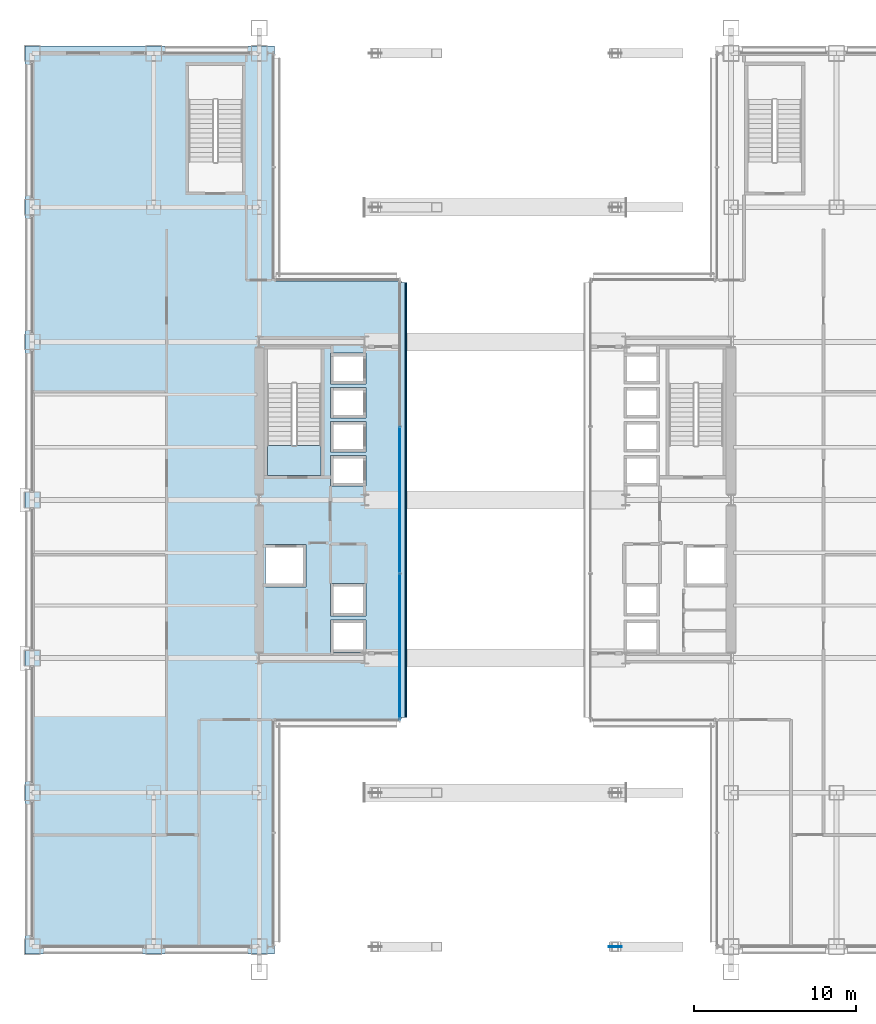
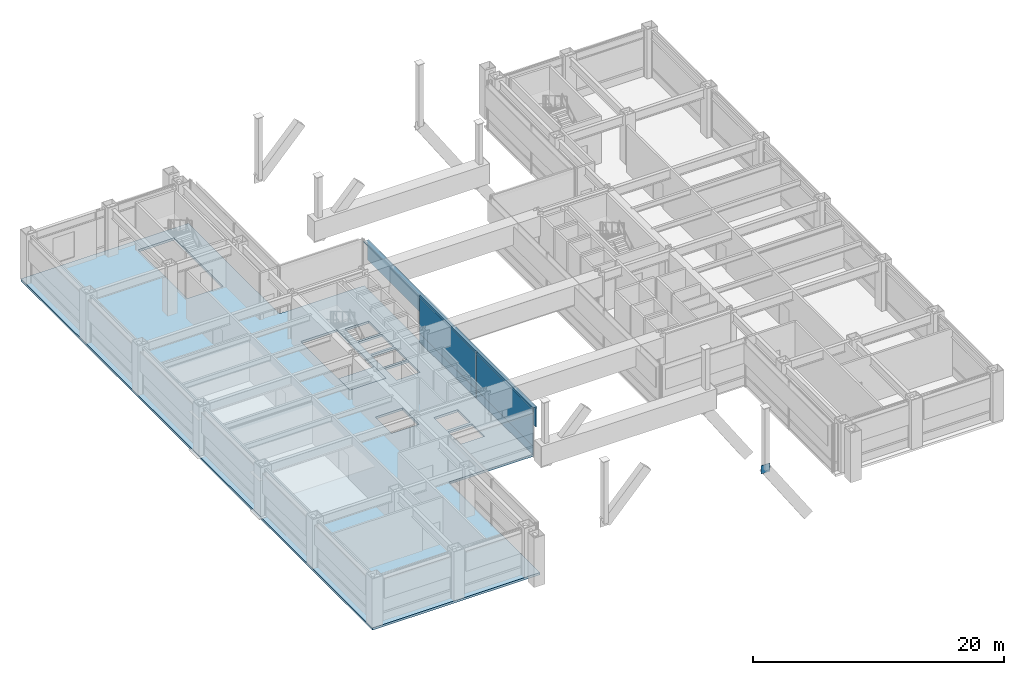
# One storey, part 30 of 42: 7 plates, 2 slabs, 1 element without a shape of its own.
"""IFC4 building model written with IfcOpenShell, lengths in metres."""

from ifc_helpers import new_model, si_unit, direction, frame, origin, origin_2d, place, context, subcontext, project, spatial, polyline, rectangle, outline, extrude, material, layer, layer_set, type_object, element, aggregate, save


model = new_model("IFC4")

# Units and contexts
model_context = context("Model", 3, precision=1e-05, world=origin(), true_north=direction((0.0, 1.0)))
body_context = subcontext(model_context, "Body", "Model", "MODEL_VIEW")
ifc_project = project(units=[si_unit("LENGTHUNIT", "METRE"), si_unit("AREAUNIT", "SQUARE_METRE"), si_unit("VOLUMEUNIT", "CUBIC_METRE"), si_unit("PLANEANGLEUNIT", "RADIAN"), si_unit("MASSUNIT", "GRAM", prefix="KILO")], contexts=[model_context])

# Site, building, storey
site_placement = place(None, origin())
site = spatial("IfcSite", under=ifc_project, at=site_placement, CompositionType="ELEMENT")
building_placement = place(site_placement, origin())
building = spatial("IfcBuilding", under=site, at=building_placement, Name="Brelmoor Portico Tower", CompositionType="ELEMENT")
storey_placement = place(building_placement, frame((0.0, 0.0, 9.60009765625)))
storey = spatial("IfcBuildingStorey", under=building, at=storey_placement, Name="L02", CompositionType="ELEMENT", Elevation=9.60009765625)

# Curtain wall, plates
ifc_material_1 = material(Name="Anodised Aluminium Alloy 6063-T6", Category="aluminium")
ifc_layer_1 = layer(ifc_material_1, 0.179931640625)
ifc_layer_set_1 = layer_set([ifc_layer_1], Name="Anodised Aluminium Alloy 6063-T6")
curtain_wall_type = type_object("IfcCurtainWallType", Name="CW-PODIUM-ARCH", PredefinedType="NOTDEFINED", material=ifc_layer_set_1)
curtain_wall_placement = place(storey_placement, origin())
curtain_wall = element("IfcCurtainWall", 1, at=curtain_wall_placement, inside=storey, type_object=curtain_wall_type, Name="L02 Curtain Wall CW-L02-15", PredefinedType="NOTDEFINED")
ifc_material_2 = material(Name="Double-Silver Low-E Insulated Glazing", Category="glass")
ifc_layer_2 = layer(ifc_material_2, 0.035888671875)
ifc_layer_set_2 = layer_set([ifc_layer_2], Name="Double-Silver Low-E Insulated Glazing")
plate_type_1 = type_object("IfcPlateType", Name="PT-CW-GLASS", PredefinedType="CURTAIN_PANEL", material=ifc_layer_set_2)
plate_1_placement = place(storey_placement, frame((-5.8798828125, -9.05322265625, 0.849853515625), z_axis=(0.0, 0.0, 1.0), x_axis=(0.0, 1.0, 0.0)))
plate_1 = element("IfcPlate", 2, at=plate_1_placement, type_object=plate_type_1, Name="CW-L02-15 Vision Glass Panel 00", PredefinedType="CURTAIN_PANEL", context=body_context, shape_type="SweptSolid", body=[
    extrude(rectangle(XDim=9.023193359375, YDim=0.035888671875, at=origin_2d()), origin(), (0.0, 0.0, 1.0), 3.72998046875),
])
plate_2_placement = place(storey_placement, frame((-5.8798828125, 0.0, 0.849853515625), z_axis=(0.0, 0.0, 1.0), x_axis=(0.0, 1.0, 0.0)))
plate_2 = element("IfcPlate", 3, at=plate_2_placement, type_object=plate_type_1, Name="CW-L02-15 Vision Glass Panel 01", PredefinedType="CURTAIN_PANEL", context=body_context, shape_type="SweptSolid", body=[
    extrude(rectangle(XDim=9.023193359375, YDim=0.035888671875, at=origin_2d()), origin(), (0.0, 0.0, 1.0), 3.72998046875),
])
ifc_material_3 = material(Name="Pale Champagne Anodised Aluminium Panel", Category="aluminium")
ifc_layer_3 = layer(ifc_material_3, 0.050048828125)
ifc_layer_set_3 = layer_set([ifc_layer_3], Name="Pale Champagne Anodised Aluminium Panel")
plate_type_2 = type_object("IfcPlateType", Name="PT-CW-SPANDREL", PredefinedType="SHEET", material=ifc_layer_set_3)
plate_3_placement = place(storey_placement, frame((-5.8798828125, -9.05322265625, -0.000244140625), z_axis=(0.0, 0.0, 1.0), x_axis=(0.0, 1.0, 0.0)))
plate_3 = element("IfcPlate", 4, at=plate_3_placement, type_object=plate_type_2, Name="CW-L02-15 Spandrel Panel 00", PredefinedType="SHEET", context=body_context, shape_type="SweptSolid", body=[
    extrude(rectangle(XDim=9.023193359375, YDim=0.050048828125, at=origin_2d()), origin(), (0.0, 0.0, 1.0), 0.85009765625),
])
plate_4_placement = place(storey_placement, frame((-5.8798828125, 0.0, -0.000244140625), z_axis=(0.0, 0.0, 1.0), x_axis=(0.0, 1.0, 0.0)))
plate_4 = element("IfcPlate", 5, at=plate_4_placement, type_object=plate_type_2, Name="CW-L02-15 Spandrel Panel 01", PredefinedType="SHEET", context=body_context, shape_type="SweptSolid", body=[
    extrude(rectangle(XDim=9.023193359375, YDim=0.050048828125, at=origin_2d()), origin(), (0.0, 0.0, 1.0), 0.85009765625),
])
aggregate(curtain_wall, [plate_3, plate_1, plate_4, plate_2])

# Plates
ifc_material_4 = material(Name="Steel Q355B", Category="steel")
ifc_layer_4 = layer(ifc_material_4, 0.050048828125)
ifc_layer_set_4 = layer_set([ifc_layer_4], Name="Steel Q355B")
plate_type_3 = type_object("IfcPlateType", Name="PT-GUSSET-800", PredefinedType="USERDEFINED", material=ifc_layer_set_4)
plate_5_placement = place(storey_placement, frame((7.39990234375, -27.550048828125, 2.10009765625), z_axis=(0.0, 0.0, 1.0), x_axis=(1.0, 0.0, 0.0)))
element("IfcPlate", 6, at=plate_5_placement, inside=storey, type_object=plate_type_3, Name="Portico Arch Gusset Plate S1-6", ObjectType="GUSSET PLATE", PredefinedType="USERDEFINED", context=body_context, shape_type="SweptSolid", body=[
    extrude(rectangle(XDim=0.800048828125, YDim=0.050048828125, at=origin_2d()), origin(), (0.0, 0.0, 1.0), 0.800048828125),
])
ifc_material_5 = material(Name="Powder-Coated Aluminium Shuttered Jalousie Louvre", Category="aluminium")
ifc_layer_5 = layer(ifc_material_5, 0.06005859375)
ifc_layer_set_5 = layer_set([ifc_layer_5], Name="Powder-Coated Aluminium Shuttered Jalousie Louvre")
plate_type_4 = type_object("IfcPlateType", Name="PT-JALOUSIE-SHUTTER", PredefinedType="SHEET", material=ifc_layer_set_5)
plate_6_placement = place(storey_placement, frame((-5.5, 0.0, 2.4404296875), z_axis=(0.0, 0.0, 1.0), x_axis=(0.0, 1.0, 0.0)))
element("IfcPlate", 7, at=plate_6_placement, inside=storey, type_object=plate_type_4, Name="CW-L02-15 Perforated Jalousie Solar Screen", PredefinedType="SHEET", context=body_context, shape_type="SweptSolid", body=[
    extrude(rectangle(XDim=26.800048828125, YDim=0.06494140625, at=origin_2d()), origin(), (0.0, 0.0, 1.0), 1.939697265625),
])
ifc_material_6 = material(Name="Pale Champagne Perforated Aluminium Solar Screen", Category="aluminium")
ifc_layer_6 = layer(ifc_material_6, 0.054931640625)
ifc_layer_set_6 = layer_set([ifc_layer_6], Name="Pale Champagne Perforated Aluminium Solar Screen")
plate_type_5 = type_object("IfcPlateType", Name="PT-SOLAR-LOUVRE", PredefinedType="SHEET", material=ifc_layer_set_6)
plate_7_placement = place(storey_placement, frame((-5.669921875, 0.0, 4.27001953125), z_axis=(0.0, 0.0, 1.0), x_axis=(0.0, 1.0, 0.0)))
element("IfcPlate", 8, at=plate_7_placement, inside=storey, type_object=plate_type_5, Name="CW-L02-15 Caribbean Brise-Soleil Solar Screen", PredefinedType="SHEET", context=body_context, shape_type="SweptSolid", body=[
    extrude(rectangle(XDim=26.800048828125, YDim=0.4599609375, at=origin_2d()), origin(), (0.0, 0.0, 1.0), 0.139892578125),
])

# Slabs
ifc_material_7 = material(Name="Concrete C40", Category="concrete")
ifc_layer_7 = layer(ifc_material_7, 0.219970703125)
ifc_layer_set_7 = layer_set([ifc_layer_7], Name="Concrete C40")
slab_type_1 = type_object("IfcSlabType", Name="SL-FLOOR-220", PredefinedType="FLOOR", material=ifc_layer_set_7)
slab_1_placement = place(storey_placement, frame((0.0, 0.0, -0.22021484375)))
element("IfcSlab", 9, at=slab_1_placement, inside=storey, type_object=slab_type_1, Name="L02 West Pier Floor Slab", PredefinedType="FLOOR", context=body_context, shape_type="SweptSolid", body=[
    extrude(outline(polyline([(-29.0, -28.0), (-13.60009765625, -28.0), (-13.60009765625, -13.5), (-5.800048828125, -13.5), (-5.800048828125, 13.5), (-13.60009765625, 13.5), (-13.60009765625, 28.0), (-29.0, 28.0), (-29.0, -28.0)]), holes=[polyline([(-10.72998046875, 1.5), (-10.72998046875, 9.300048828125), (-14.050048828125, 9.300048828125), (-14.050048828125, 1.5), (-10.72998046875, 1.5)]), polyline([(-15.580078125, 19.0), (-15.580078125, 26.800048828125), (-18.89990234375, 26.800048828125), (-18.89990234375, 19.0), (-15.580078125, 19.0)]), polyline([(-10.14990234375, 0.85009765625), (-7.949951171875, 0.85009765625), (-7.949951171875, 2.75), (-10.14990234375, 2.75), (-10.14990234375, 0.85009765625)]), polyline([(-10.14990234375, 2.949951171875), (-7.949951171875, 2.949951171875), (-7.949951171875, 4.85009765625), (-10.14990234375, 4.85009765625), (-10.14990234375, 2.949951171875)]), polyline([(-10.14990234375, 5.050048828125), (-7.949951171875, 5.050048828125), (-7.949951171875, 6.949951171875), (-10.14990234375, 6.949951171875), (-10.14990234375, 5.050048828125)]), polyline([(-10.14990234375, 7.14990234375), (-7.949951171875, 7.14990234375), (-7.949951171875, 9.050048828125), (-10.14990234375, 9.050048828125), (-10.14990234375, 7.14990234375)]), polyline([(-10.14990234375, -9.39990234375), (-7.949951171875, -9.39990234375), (-7.949951171875, -7.39990234375), (-10.14990234375, -7.39990234375), (-10.14990234375, -9.39990234375)]), polyline([(-10.14990234375, -7.14990234375), (-7.949951171875, -7.14990234375), (-7.949951171875, -5.14990234375), (-10.14990234375, -5.14990234375), (-10.14990234375, -7.14990234375)]), polyline([(-14.14990234375, -5.35009765625), (-11.64990234375, -5.35009765625), (-11.64990234375, -2.75), (-14.14990234375, -2.75), (-14.14990234375, -5.35009765625)])]), origin(), (0.0, 0.0, 1.0), 0.22021484375),
])
ifc_layer_8 = layer(ifc_material_7, 0.219970703125)
ifc_layer_set_8 = layer_set([ifc_layer_8], Name="Concrete C40")
slab_type_2 = type_object("IfcSlabType", Name="SL-STAIR-FL220", PredefinedType="LANDING", material=ifc_layer_set_8)
slab_2_placement = place(storey_placement, frame((0.0, 0.0, -0.22021484375)))
element("IfcSlab", 10, at=slab_2_placement, inside=storey, type_object=slab_type_2, Name="L02 ST-W Structural Floor Landing Slab", PredefinedType="LANDING", context=body_context, shape_type="SweptSolid", body=[
    extrude(outline(polyline([(-10.72998046875, 1.5), (-10.72998046875, 3.35009765625), (-14.050048828125, 3.35009765625), (-14.050048828125, 1.5), (-10.72998046875, 1.5)])), origin(), (0.0, 0.0, 1.0), 0.22021484375),
])

save(model, "model.ifc")
